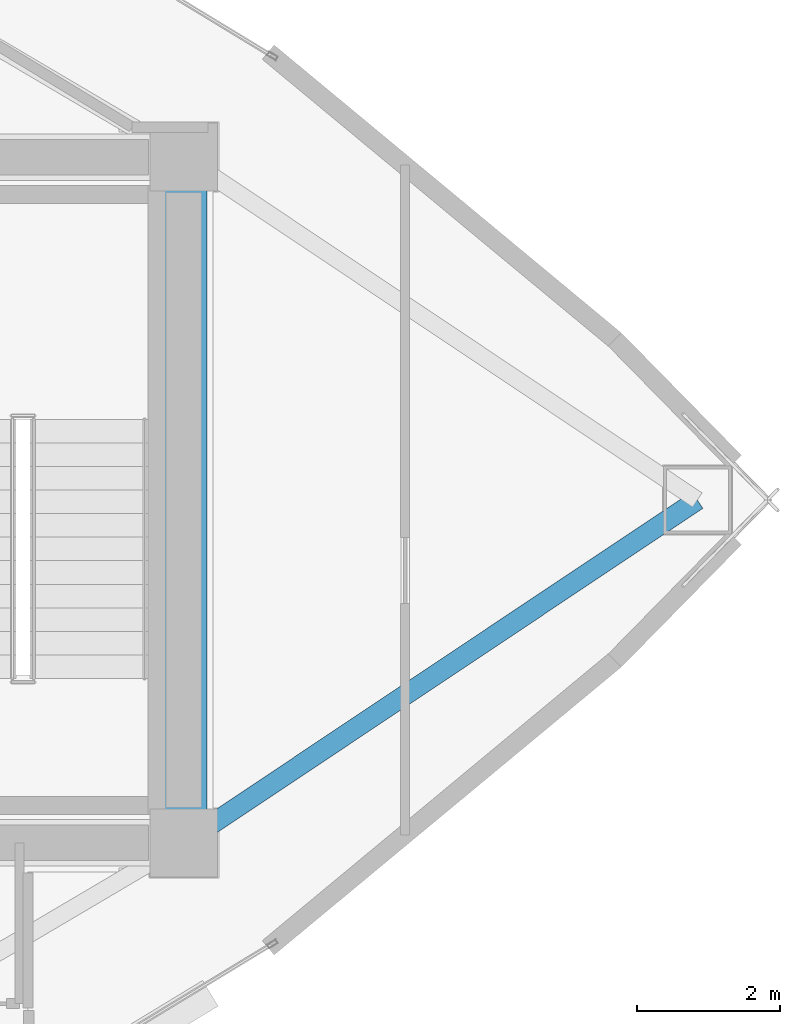
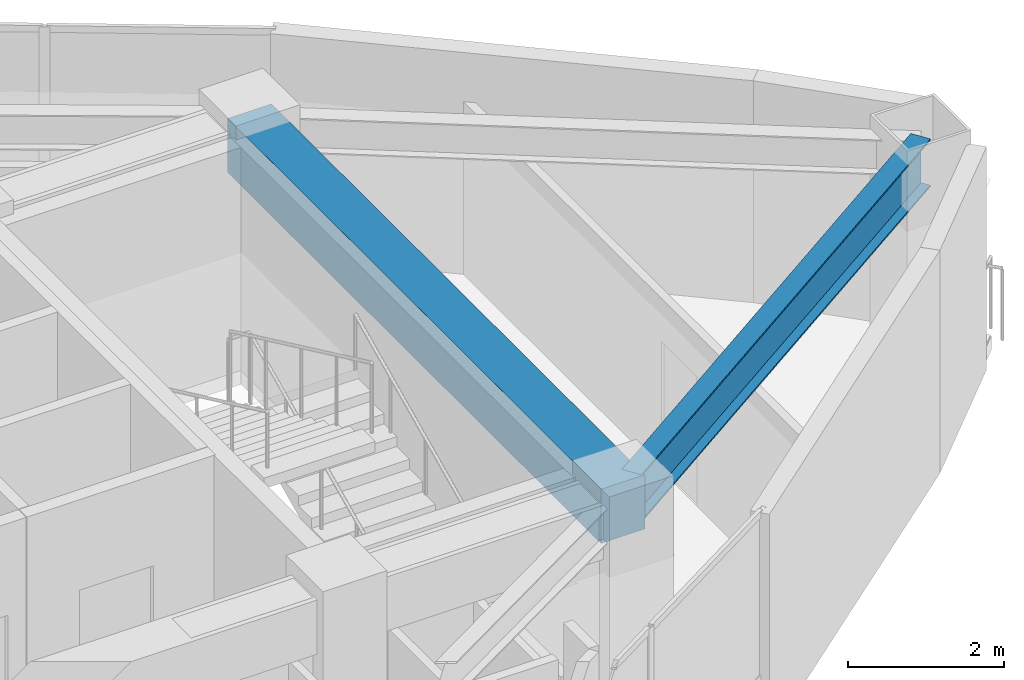
# One storey, part 6 of 15: 2 beams.
"""IFC4 building model written with IfcOpenShell, lengths in metres."""

from ifc_helpers import new_model, si_unit, direction, frame, origin, origin_2d, place, context, subcontext, project, spatial, rectangle, i_section, extrude, material, material_profile, profile_set, type_object, element, save


model = new_model("IFC4")

# Units and contexts
model_context = context("Model", 3, precision=1e-05, world=origin(), true_north=direction((0.0, 1.0)))
body_context = subcontext(model_context, "Body", "Model", "MODEL_VIEW")
ifc_project = project(units=[si_unit("LENGTHUNIT", "METRE"), si_unit("AREAUNIT", "SQUARE_METRE"), si_unit("VOLUMEUNIT", "CUBIC_METRE"), si_unit("PLANEANGLEUNIT", "RADIAN"), si_unit("MASSUNIT", "GRAM", prefix="KILO")], contexts=[model_context])

# Site, building, storey
site_placement = place(None, origin())
site = spatial("IfcSite", under=ifc_project, at=site_placement, CompositionType="ELEMENT")
building_placement = place(site_placement, origin())
building = spatial("IfcBuilding", under=site, at=building_placement, Name="Menara Vayukalpa", CompositionType="ELEMENT")
storey_placement = place(building_placement, frame((0.0, 0.0, 187.800048828125)))
storey = spatial("IfcBuildingStorey", under=building, at=storey_placement, Name="L47", CompositionType="ELEMENT", Elevation=187.800048828125)

# Beams
ifc_material_1 = material(Name="Concrete C60/75", Category="concrete")
ifc_material_profile_1 = material_profile(ifc_material_1, rectangle(XDim=0.64990234375, YDim=0.85009765625, at=origin_2d()), Name="RC 650x850")
ifc_profile_set_1 = profile_set([ifc_material_profile_1], Name="Concrete C60/75")
beam_type_1 = type_object("IfcBeamType", Name="BM-CB1", PredefinedType="BEAM", material=ifc_profile_set_1)
beam_1_placement = place(storey_placement, frame((33.39990234375, 17.199951171875, 3.074951171875), z_axis=(0.0, 1.0, 0.0), x_axis=(-1.0, 0.0, 0.0)))
element("IfcBeam", 1, at=beam_1_placement, inside=storey, type_object=beam_type_1, Name="L47 Core Tie Beam CBR8", PredefinedType="BEAM", context=body_context, shape_type="SweptSolid", body=[
    extrude(rectangle(XDim=0.64990234375, YDim=0.85009765625, at=origin_2d()), origin(), (0.0, 0.0, 1.0), 9.60009765625),
])
ifc_material_2 = material(Name="Steel S355", Category="steel")
ifc_material_profile_2 = material_profile(ifc_material_2, i_section(OverallWidth=0.280029296875, OverallDepth=0.75, WebThickness=0.013916015625, FlangeThickness=0.02490234375, at=origin_2d()), Name="WF 750x280x14x25")
ifc_profile_set_2 = profile_set([ifc_material_profile_2], Name="Steel S355")
beam_type_2 = type_object("IfcBeamType", Name="BM-PG4", PredefinedType="BEAM", material=ifc_profile_set_2)
beam_2_placement = place(storey_placement, frame((33.60791015625, 17.3388671875, 3.125), z_axis=(0.831719080732, 0.555196695547, 0.0), x_axis=(-0.555196695547, 0.831719080732, 0.0)))
element("IfcBeam", 2, at=beam_2_placement, inside=storey, type_object=beam_type_2, Name="L47 Primary Radial Girder RG01", PredefinedType="BEAM", context=body_context, shape_type="SweptSolid", body=[
    extrude(i_section(OverallWidth=0.280029296875, OverallDepth=0.75, WebThickness=0.013916015625, FlangeThickness=0.02490234375, at=origin_2d()), origin(), (0.0, 0.0, 1.0), 8.3955078125),
])

save(model, "model.ifc")
